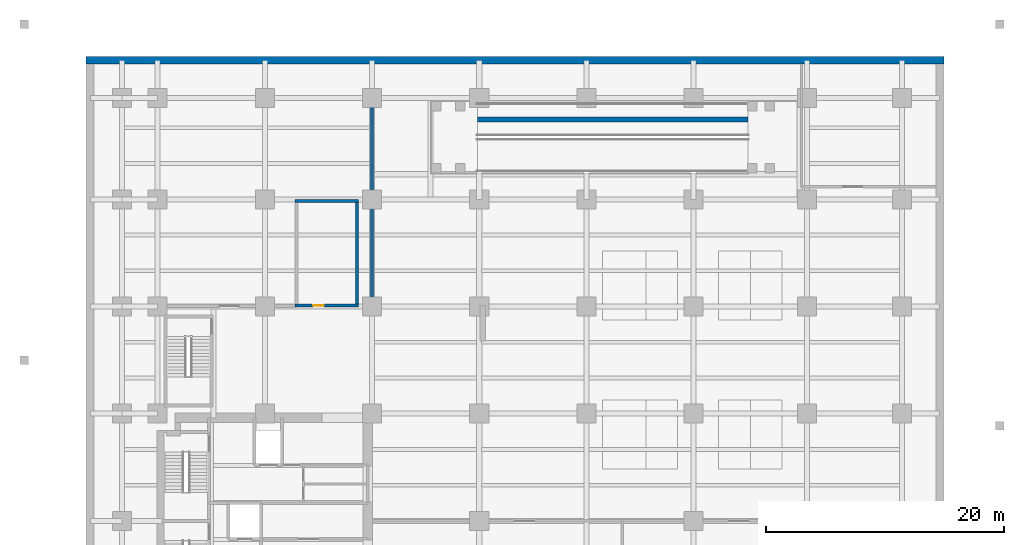
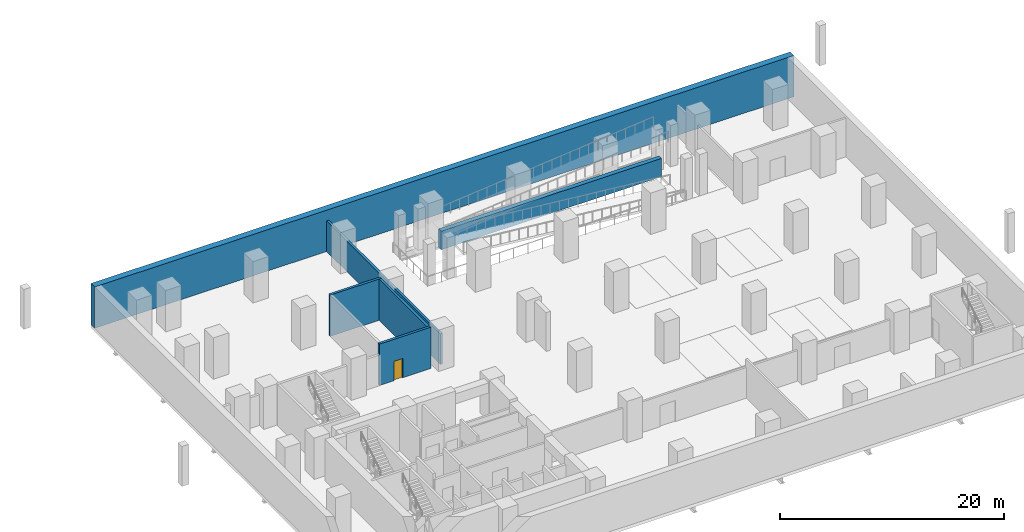
# One storey, part 7 of 10: 6 walls, 1 door, 1 opening.
"""IFC4 building model written with IfcOpenShell, lengths in metres."""

from ifc_helpers import new_model, si_unit, direction, frame, frame_2d, origin, place, context, subcontext, project, spatial, rectangle, extrude, material, layer, layer_set, type_object, element, fill, save


model = new_model("IFC4")

# Units and contexts
model_context = context("Model", 3, precision=1e-05, world=origin(), true_north=direction((0.0, 1.0)))
body_context = subcontext(model_context, "Body", "Model", "MODEL_VIEW")
ifc_project = project(units=[si_unit("LENGTHUNIT", "METRE"), si_unit("AREAUNIT", "SQUARE_METRE"), si_unit("VOLUMEUNIT", "CUBIC_METRE"), si_unit("PLANEANGLEUNIT", "RADIAN"), si_unit("MASSUNIT", "GRAM", prefix="KILO")], contexts=[model_context])

# Site, building, storey
site_placement = place(None, origin())
site = spatial("IfcSite", under=ifc_project, at=site_placement, CompositionType="ELEMENT")
building_placement = place(site_placement, origin())
building = spatial("IfcBuilding", under=site, at=building_placement, Name="Mawjdan Bourse Tower", CompositionType="ELEMENT")
storey_placement = place(building_placement, frame((0.0, 0.0, -4.5)))
storey = spatial("IfcBuildingStorey", under=building, at=storey_placement, Name="B01", CompositionType="ELEMENT", Elevation=-4.5)

# Walls
ifc_material_1 = material(Name="Concrete C60/75", Category="concrete")
ifc_layer_1 = layer(ifc_material_1, 0.449951171875)
ifc_layer_set_1 = layer_set([ifc_layer_1], Name="Concrete C60/75")
wall_type_1 = type_object("IfcWallType", Name="WL-CORE-450", PredefinedType="SHEAR", material=ifc_layer_set_1)
wall_1_placement = place(storey_placement, frame((32.85009765625, 45.699951171875, 0.0), z_axis=(0.0, 0.0, 1.0), x_axis=(1.0, 0.0, 0.0)))
element("IfcWall", 1, at=wall_1_placement, inside=storey, type_object=wall_type_1, Name="B01 Vehicle Ramp Spine Support Wall F2", PredefinedType="SHEAR", context=body_context, shape_type="SweptSolid", body=[
    extrude(rectangle(XDim=22.699951171875, YDim=0.449951171875, at=frame_2d((11.35009765625, 0.0))), origin(), (0.0, 0.0, 1.0), 2.010009765625),
])
ifc_layer_2 = layer(ifc_material_1, 0.64990234375)
ifc_layer_set_2 = layer_set([ifc_layer_2], Name="Concrete C60/75")
wall_type_2 = type_object("IfcWallType", Name="WL-RET-650", PredefinedType="USERDEFINED", material=ifc_layer_set_2)
wall_2_placement = place(storey_placement, frame((72.0, 50.675048828125, 0.0), z_axis=(0.0, 0.0, 1.0), x_axis=(-1.0, 0.0, 0.0)))
element("IfcWall", 2, at=wall_2_placement, inside=storey, type_object=wall_type_2, Name="B01 Perimeter Diaphragm Retaining Wall N", ObjectType="RETAINING", PredefinedType="USERDEFINED", context=body_context, shape_type="SweptSolid", body=[
    extrude(rectangle(XDim=72.0, YDim=0.64990234375, at=frame_2d((36.0, 0.0))), origin(), (0.0, 0.0, 1.0), 4.5),
])
ifc_material_2 = material(Name="Concrete C50/60", Category="concrete")
ifc_layer_3 = layer(ifc_material_2, 0.25)
ifc_layer_set_3 = layer_set([ifc_layer_3], Name="Concrete C50/60")
wall_type_3 = type_object("IfcWallType", Name="WL-SHFT-250", PredefinedType="PARTITIONING", material=ifc_layer_set_3)
wall_3_placement = place(storey_placement, frame((24.0, 30.050048828125, 0.0), z_axis=(0.0, 0.0, 1.0), x_axis=(0.0, 1.0, 0.0)))
element("IfcWall", 3, at=wall_3_placement, inside=storey, type_object=wall_type_3, Name="B01 Facilities & Security Equipment Store East Vault Wall", PredefinedType="PARTITIONING", context=body_context, shape_type="SweptSolid", body=[
    extrude(rectangle(XDim=20.300048828125, YDim=0.25, at=frame_2d((10.14990234375, 0.0))), origin(), (0.0, 0.0, 1.0), 3.333984375),
])

# Wall, opening, door
ifc_layer_4 = layer(ifc_material_2, 0.25)
ifc_layer_set_4 = layer_set([ifc_layer_4], Name="Concrete C50/60")
wall_type_4 = type_object("IfcWallType", Name="WL-STRW-250", PredefinedType="SHEAR", material=ifc_layer_set_4)
wall_4_placement = place(storey_placement, frame((17.554931640625, 30.080078125, 0.0), z_axis=(0.0, 0.0, 1.0), x_axis=(1.0, 0.0, 0.0)))
wall_4 = element("IfcWall", 4, at=wall_4_placement, inside=storey, type_object=wall_type_4, Name="B01 ST4 Sub-Shaft South Wall", PredefinedType="SHEAR", context=body_context, shape_type="SweptSolid", body=[
    extrude(rectangle(XDim=5.2900390625, YDim=0.25, at=frame_2d((2.64501953125, 0.0))), origin(), (0.0, 0.0, 1.0), 4.5),
])
opening_placement = place(wall_4_placement, frame((1.5, 0.0, 0.0)))
opening = element("IfcOpeningElement", 5, at=opening_placement, cuts=wall_4, Name="Opening RD-B01-21", PredefinedType="OPENING", context=body_context, shape_type="SweptSolid", body=[
    extrude(rectangle(XDim=0.89990234375, YDim=2.10009765625, at=frame_2d((0.449951171875, 1.050048828125))), frame((0.0, 0.135009765625, 0.0), z_axis=(0.0, -1.0, 0.0), x_axis=(1.0, 0.0, 0.0)), (0.0, 0.0, 1.0), 0.27001953125),
])
ifc_material_3 = material(Name="Fire-Rated Steel Access Leaf", Category="steel")
door_type = type_object("IfcDoorType", Name="FD-RSR-0900", OperationType="NOTDEFINED", PredefinedType="TRAPDOOR", material=ifc_material_3)
door_placement = place(opening_placement, origin())
door = element("IfcDoor", 6, at=door_placement, inside=storey, type_object=door_type, Name="B01 Sub-Stair Plenum Access Door RD-B01-21", OperationType="SINGLE_SWING_LEFT", OverallHeight=2.10009765625, OverallWidth=0.89990234375, PredefinedType="TRAPDOOR", context=body_context, shape_type="SweptSolid", body=[
    extrude(rectangle(XDim=0.89990234375, YDim=2.10009765625, at=frame_2d((0.449951171875, 1.050048828125))), frame((0.0, 0.02490234375, 0.0), z_axis=(0.0, -1.0, 0.0), x_axis=(1.0, 0.0, 0.0)), (0.0, 0.0, 1.0), 0.050048828125),
])
fill(opening, door)

# Walls
wall_5_placement = place(storey_placement, frame((17.554931640625, 38.8701171875, 0.0), z_axis=(0.0, 0.0, 1.0), x_axis=(1.0, 0.0, 0.0)))
element("IfcWall", 7, at=wall_5_placement, inside=storey, type_object=wall_type_4, Name="B01 ST4 Sub-Shaft North Wall", PredefinedType="SHEAR", context=body_context, shape_type="SweptSolid", body=[
    extrude(rectangle(XDim=5.2900390625, YDim=0.25, at=frame_2d((2.64501953125, 0.0))), origin(), (0.0, 0.0, 1.0), 4.5),
])
wall_6_placement = place(storey_placement, frame((22.719970703125, 30.080078125, 0.0), z_axis=(0.0, 0.0, 1.0), x_axis=(0.0, 1.0, 0.0)))
element("IfcWall", 8, at=wall_6_placement, inside=storey, type_object=wall_type_4, Name="B01 ST4 Sub-Shaft East Wall", PredefinedType="SHEAR", context=body_context, shape_type="SweptSolid", body=[
    extrude(rectangle(XDim=8.7900390625, YDim=0.25, at=frame_2d((4.39501953125, 0.0))), origin(), (0.0, 0.0, 1.0), 4.5),
])

save(model, "model.ifc")
